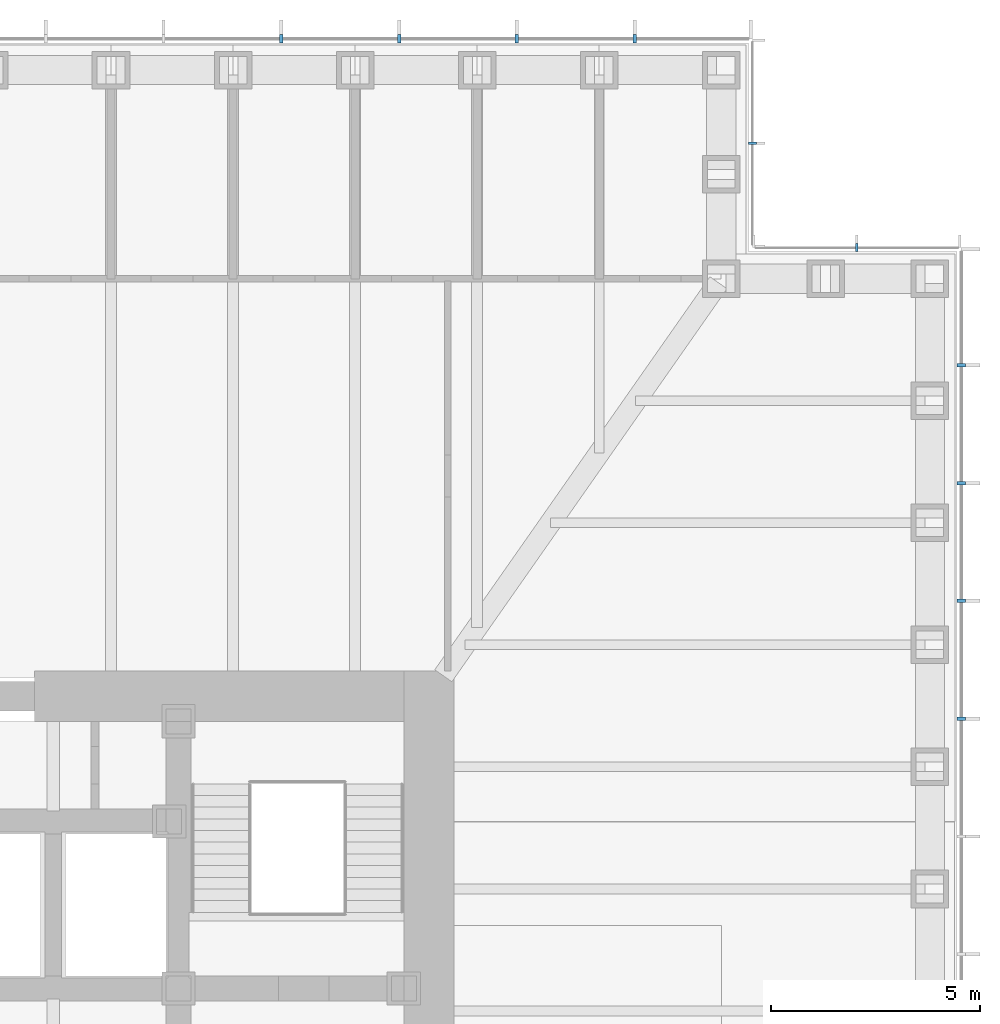
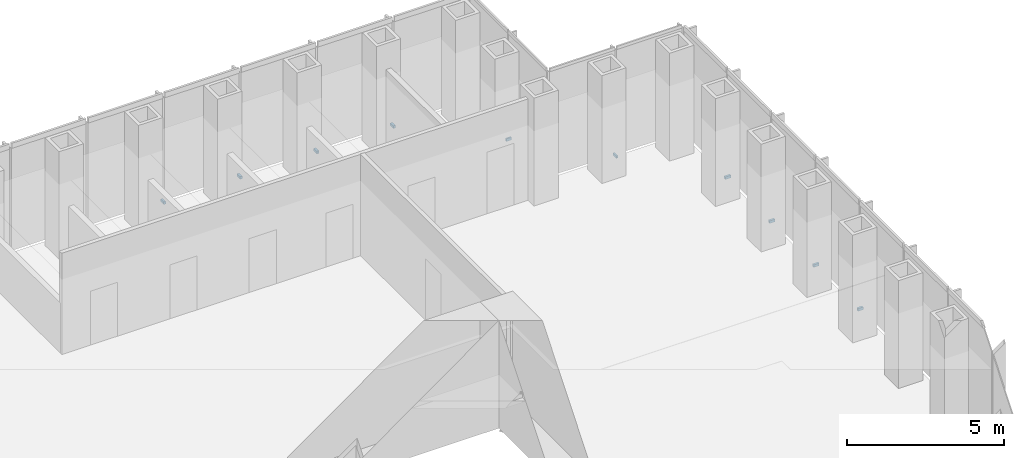
# One storey, part 16 of 17: 10 discrete accessories.
"""IFC4 building model written with IfcOpenShell, lengths in metres."""

from ifc_helpers import new_model, si_unit, direction, frame, origin, origin_2d, place, context, subcontext, project, spatial, rectangle, extrude, element, save


model = new_model("IFC4")

# Units and contexts
model_context = context("Model", 3, precision=1e-05, world=origin(), true_north=direction((0.0, 1.0)))
body_context = subcontext(model_context, "Body", "Model", "MODEL_VIEW")
ifc_project = project(units=[si_unit("LENGTHUNIT", "METRE"), si_unit("AREAUNIT", "SQUARE_METRE"), si_unit("VOLUMEUNIT", "CUBIC_METRE"), si_unit("PLANEANGLEUNIT", "RADIAN"), si_unit("MASSUNIT", "GRAM", prefix="KILO")], contexts=[model_context])

# Site, building, storey
site_placement = place(None, origin())
site = spatial("IfcSite", under=ifc_project, at=site_placement, CompositionType="ELEMENT")
building_placement = place(site_placement, origin())
building = spatial("IfcBuilding", under=site, at=building_placement, Name="Daluyong Arena Tower", CompositionType="ELEMENT")
storey_placement = place(building_placement, frame((0.0, 0.0, 97.89990234375)))
storey = spatial("IfcBuildingStorey", under=building, at=storey_placement, Name="L21", CompositionType="ELEMENT", Elevation=97.89990234375)

# Discrete accessories
for number, where, z_axis, x_axis, name in (
    (1, (80.75, 88.46435546875, -0.099853515625), (0.0, 0.0, 1.0), (0.0, 1.0, 0.0), "curtain wall L21 E anchor bracket 11"),
    (2, (80.75, 91.28564453125, -0.099853515625), (0.0, 0.0, 1.0), (0.0, 1.0, 0.0), "curtain wall L21 E anchor bracket 12"),
    (3, (80.75, 94.107177734375, -0.099853515625), (0.0, 0.0, 1.0), (0.0, 1.0, 0.0), "curtain wall L21 E anchor bracket 13"),
    (4, (80.75, 96.928466796875, -0.099853515625), (0.0, 0.0, 1.0), (0.0, 1.0, 0.0), "curtain wall L21 E anchor bracket 14"),
):
    element("IfcDiscreteAccessory", number, at=place(storey_placement, frame(where, z_axis=z_axis, x_axis=x_axis)), inside=storey, Name=name, PredefinedType="BRACKET", context=body_context, shape_type="SweptSolid", body=[
        extrude(rectangle(XDim=0.080078125, YDim=0.199951171875, at=origin_2d()), origin(), (0.0, 0.0, 1.0), 0.10009765625),
    ])
for number, where, z_axis, x_axis, name in (
    (5, (78.25, 99.75, -0.099853515625), (0.0, 0.0, 1.0), (-1.0, 0.0, 0.0), "curtain wall L21 NE-N anchor bracket 2"),
    (6, (75.75, 102.25, -0.099853515625), (0.0, 0.0, 1.0), (0.0, 1.0, 0.0), "curtain wall L21 NE-E anchor bracket 2"),
):
    element("IfcDiscreteAccessory", number, at=place(storey_placement, frame(where, z_axis=z_axis, x_axis=x_axis)), inside=storey, Name=name, PredefinedType="BRACKET", context=body_context, shape_type="SweptSolid", body=[
        extrude(rectangle(XDim=0.06005859375, YDim=0.199951171875, at=origin_2d()), origin(), (0.0, 0.0, 1.0), 0.10009765625),
    ])
for number, where, z_axis, x_axis, name in (
    (7, (72.928466796875, 104.75, -0.099853515625), (0.0, 0.0, 1.0), (-1.0, 0.0, 0.0), "curtain wall L21 N anchor bracket 2"),
    (8, (70.107177734375, 104.75, -0.099853515625), (0.0, 0.0, 1.0), (-1.0, 0.0, 0.0), "curtain wall L21 N anchor bracket 3"),
    (9, (67.28564453125, 104.75, -0.099853515625), (0.0, 0.0, 1.0), (-1.0, 0.0, 0.0), "curtain wall L21 N anchor bracket 4"),
    (10, (64.46435546875, 104.75, -0.099853515625), (0.0, 0.0, 1.0), (-1.0, 0.0, 0.0), "curtain wall L21 N anchor bracket 5"),
):
    element("IfcDiscreteAccessory", number, at=place(storey_placement, frame(where, z_axis=z_axis, x_axis=x_axis)), inside=storey, Name=name, PredefinedType="BRACKET", context=body_context, shape_type="SweptSolid", body=[
        extrude(rectangle(XDim=0.080078125, YDim=0.199951171875, at=origin_2d()), origin(), (0.0, 0.0, 1.0), 0.10009765625),
    ])

save(model, "model.ifc")
